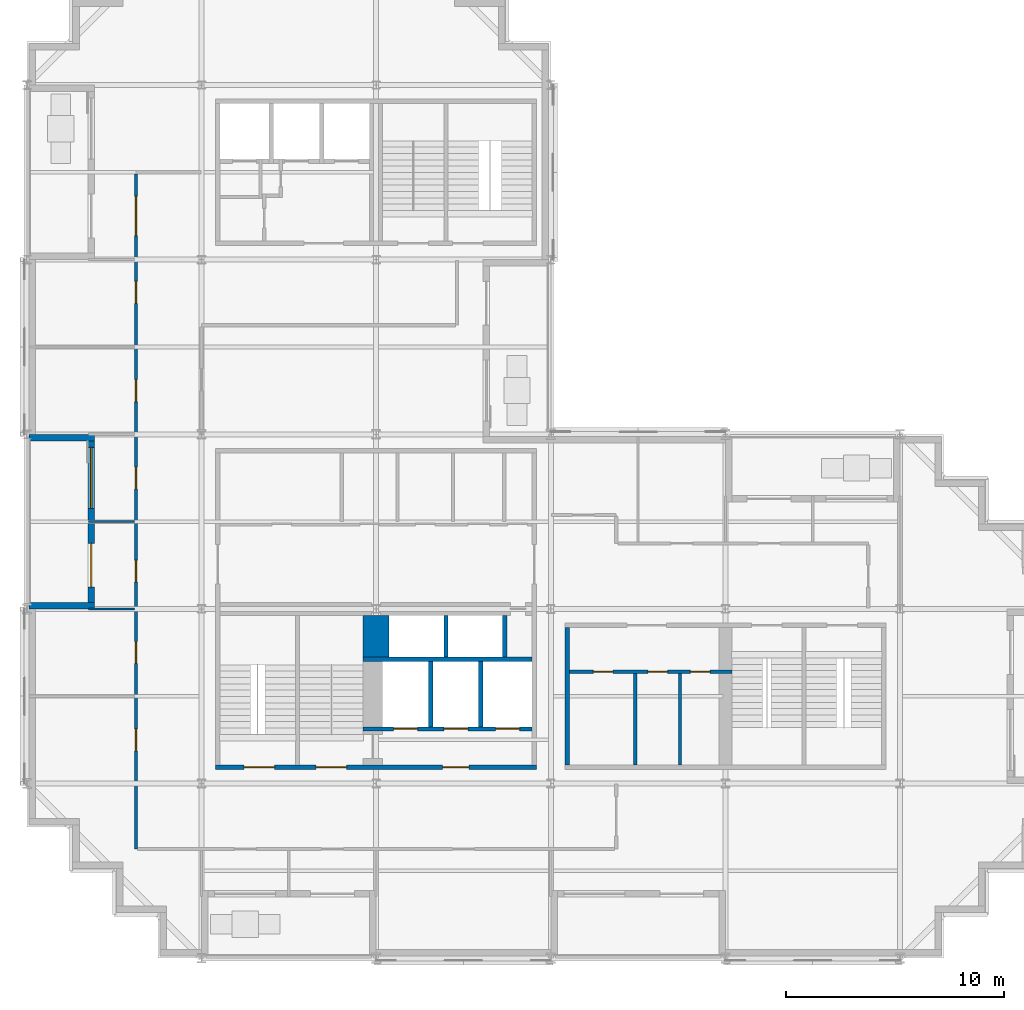
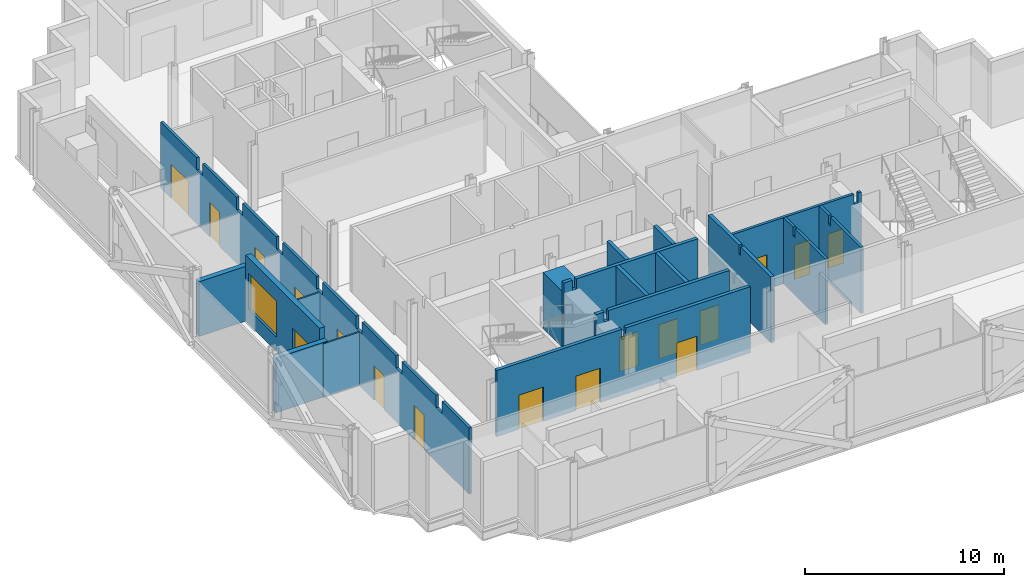
# One storey, part 5 of 12: 18 walls, 17 doors, 1 window, 18 openings.
"""IFC4 building model written with IfcOpenShell, lengths in metres."""

from ifc_helpers import new_model, si_unit, direction, frame, frame_2d, origin, place, context, subcontext, project, spatial, polyline, rectangle, outline, extrude, material, layer, layer_set, type_object, element, fill, save


model = new_model("IFC4")

# Units and contexts
model_context = context("Model", 3, precision=1e-05, world=origin(), true_north=direction((0.0, 1.0)))
body_context = subcontext(model_context, "Body", "Model", "MODEL_VIEW")
ifc_project = project(units=[si_unit("LENGTHUNIT", "METRE"), si_unit("AREAUNIT", "SQUARE_METRE"), si_unit("VOLUMEUNIT", "CUBIC_METRE"), si_unit("PLANEANGLEUNIT", "RADIAN"), si_unit("MASSUNIT", "GRAM", prefix="KILO")], contexts=[model_context])

# Site, building, storey
site_placement = place(None, origin())
site = spatial("IfcSite", under=ifc_project, at=site_placement, CompositionType="ELEMENT")
building_placement = place(site_placement, origin())
building = spatial("IfcBuilding", under=site, at=building_placement, Name="Immortelle Media Tower", CompositionType="ELEMENT")
storey_placement = place(building_placement, frame((0.0, 0.0, 132.60009765625)))
storey = spatial("IfcBuildingStorey", under=building, at=storey_placement, Name="L26", CompositionType="ELEMENT", Elevation=132.60009765625)

# Wall, openings, doors
ifc_material_1 = material(Name="Fire-rated gypsum board", Category="gypsum")
ifc_layer_1 = layer(ifc_material_1, 0.02490234375)
ifc_material_2 = material(Name="Steel ASTM A653 SS Gr 50 stud frame with mineral wool", Category="steel")
ifc_layer_2 = layer(ifc_material_2, 0.10009765625)
ifc_layer_3 = layer(ifc_material_1, 0.02490234375)
ifc_layer_set_1 = layer_set([ifc_layer_1, ifc_layer_2, ifc_layer_3], Name="Steel ASTM A653 SS Gr 50 stud frame with mineral wool")
wall_type_1 = type_object("IfcWallType", Name="Core partition 150", PredefinedType="PARTITIONING", material=ifc_layer_set_1)
wall_1_placement = place(storey_placement, frame((24.85009765625, 13.125, 0.0), z_axis=(0.0, 0.0, 1.0), x_axis=(1.0, 0.0, 0.0)))
wall_1 = element("IfcWall", 1, at=wall_1_placement, inside=storey, type_object=wall_type_1, Name="Core partition SE", PredefinedType="PARTITIONING", context=body_context, shape_type="SweptSolid", body=[
    extrude(outline(polyline([(0.0, 0.0), (7.449951171875, 0.0), (7.449951171875, 4.0498046875), (7.26953125, 4.0498046875), (7.2685546875, 3.431884765625), (7.031494140625, 3.431884765625), (7.030517578125, 4.0498046875), (0.0, 4.0498046875), (0.0, 0.0)])), frame((0.0, 0.074951171875, 0.0), z_axis=(0.0, -1.0, 0.0), x_axis=(1.0, 0.0, 0.0)), (0.0, 0.0, 1.0), 0.14990234375),
])
opening_1_placement = place(wall_1_placement, frame((2.0, 0.0, 0.0), z_axis=(0.0, 0.0, 1.0), x_axis=(-1.0, 0.0, 0.0)))
opening_1 = element("IfcOpeningElement", 2, at=opening_1_placement, cuts=wall_1, Name="Opening C2-K016", PredefinedType="OPENING", context=body_context, shape_type="SweptSolid", body=[
    extrude(rectangle(XDim=0.89990234375, YDim=2.10009765625, at=frame_2d((0.449951171875, 1.050048828125))), frame((0.0, 0.0849609375, 0.0), z_axis=(0.0, -1.0, 0.0), x_axis=(1.0, 0.0, 0.0)), (0.0, 0.0, 1.0), 0.169921875),
])
opening_2_placement = place(wall_1_placement, frame((4.5, 0.0, 0.0), z_axis=(0.0, 0.0, 1.0), x_axis=(-1.0, 0.0, 0.0)))
opening_2 = element("IfcOpeningElement", 3, at=opening_2_placement, cuts=wall_1, Name="Opening C2-K018", PredefinedType="OPENING", context=body_context, shape_type="SweptSolid", body=[
    extrude(rectangle(XDim=0.89990234375, YDim=2.10009765625, at=frame_2d((0.449951171875, 1.050048828125))), frame((0.0, 0.0849609375, 0.0), z_axis=(0.0, -1.0, 0.0), x_axis=(1.0, 0.0, 0.0)), (0.0, 0.0, 1.0), 0.169921875),
])
opening_3_placement = place(wall_1_placement, frame((6.449951171875, 0.0, 0.0), z_axis=(0.0, 0.0, 1.0), x_axis=(-1.0, 0.0, 0.0)))
opening_3 = element("IfcOpeningElement", 4, at=opening_3_placement, cuts=wall_1, Name="Opening C2-K019", PredefinedType="OPENING", context=body_context, shape_type="SweptSolid", body=[
    extrude(rectangle(XDim=0.89990234375, YDim=2.10009765625, at=frame_2d((0.449951171875, 1.050048828125))), frame((0.0, 0.0849609375, 0.0), z_axis=(0.0, -1.0, 0.0), x_axis=(1.0, 0.0, 0.0)), (0.0, 0.0, 1.0), 0.169921875),
])
ifc_material_3 = material(Name="Timber", Category="wood")
door_type_1 = type_object("IfcDoorType", Name="Room door 900 x 2100", OperationType="NOTDEFINED", PredefinedType="NOTDEFINED", material=ifc_material_3)
door_1_placement = place(opening_1_placement, origin())
door_1 = element("IfcDoor", 5, at=door_1_placement, inside=storey, type_object=door_type_1, Name="Room C2-K016", OperationType="SINGLE_SWING_RIGHT", OverallHeight=2.10009765625, OverallWidth=0.89990234375, PredefinedType="NOTDEFINED", context=body_context, shape_type="SweptSolid", body=[
    extrude(rectangle(XDim=0.89990234375, YDim=2.10009765625, at=frame_2d((0.449951171875, 1.050048828125))), frame((0.0, 0.02490234375, 0.0), z_axis=(0.0, -1.0, 0.0), x_axis=(1.0, 0.0, 0.0)), (0.0, 0.0, 1.0), 0.050048828125),
])
fill(opening_1, door_1)
door_2_placement = place(opening_2_placement, origin())
door_2 = element("IfcDoor", 6, at=door_2_placement, inside=storey, type_object=door_type_1, Name="Room C2-K018", OperationType="SINGLE_SWING_RIGHT", OverallHeight=2.10009765625, OverallWidth=0.89990234375, PredefinedType="NOTDEFINED", context=body_context, shape_type="SweptSolid", body=[
    extrude(rectangle(XDim=0.89990234375, YDim=2.10009765625, at=frame_2d((0.449951171875, 1.050048828125))), frame((0.0, 0.02490234375, 0.0), z_axis=(0.0, -1.0, 0.0), x_axis=(1.0, 0.0, 0.0)), (0.0, 0.0, 1.0), 0.050048828125),
])
fill(opening_2, door_2)
ifc_material_4 = material(Name="Galvanised steel door leaf and frame ASTM A653", Category="steel")
door_type_2 = type_object("IfcDoorType", Name="Service door 900 x 2100", OperationType="NOTDEFINED", PredefinedType="NOTDEFINED", material=ifc_material_4)
door_3_placement = place(opening_3_placement, origin())
door_3 = element("IfcDoor", 7, at=door_3_placement, inside=storey, type_object=door_type_2, Name="Service C2-K019", OperationType="SINGLE_SWING_RIGHT", OverallHeight=2.10009765625, OverallWidth=0.89990234375, PredefinedType="NOTDEFINED", context=body_context, shape_type="SweptSolid", body=[
    extrude(rectangle(XDim=0.89990234375, YDim=2.10009765625, at=frame_2d((0.449951171875, 1.050048828125))), frame((0.0, 0.02490234375, 0.0), z_axis=(0.0, -1.0, 0.0), x_axis=(1.0, 0.0, 0.0)), (0.0, 0.0, 1.0), 0.050048828125),
])
fill(opening_3, door_3)

# Walls
for number, where, z_axis, x_axis, name in (
    (8, (27.875, 8.85009765625, 0.0), (0.0, 0.0, 1.0), (0.0, 1.0, 0.0), "Core partition SE"),
    (9, (29.925048828125, 8.85009765625, 0.0), (0.0, 0.0, 1.0), (0.0, 1.0, 0.0), "Core partition SE"),
):
    element("IfcWall", number, at=place(storey_placement, frame(where, z_axis=z_axis, x_axis=x_axis)), inside=storey, type_object=wall_type_1, Name=name, PredefinedType="PARTITIONING", context=body_context, shape_type="SweptSolid", body=[
        extrude(outline(polyline([(0.0, 0.0), (4.199951171875, 0.0), (4.199951171875, 4.0498046875), (3.237548828125, 4.0498046875), (3.236572265625, 3.517822265625), (3.0634765625, 3.517822265625), (3.0625, 4.0498046875), (0.0, 4.0498046875), (0.0, 0.0)])), frame((0.0, 0.074951171875, 0.0), z_axis=(0.0, -1.0, 0.0), x_axis=(1.0, 0.0, 0.0)), (0.0, 0.0, 1.0), 0.14990234375),
    ])

# Wall, openings, doors
ifc_layer_4 = layer(ifc_material_1, 0.03759765625)
ifc_layer_5 = layer(ifc_material_2, 0.125)
ifc_layer_6 = layer(ifc_material_1, 0.03759765625)
ifc_layer_set_2 = layer_set([ifc_layer_4, ifc_layer_5, ifc_layer_6], Name="Steel ASTM A653 SS Gr 50 stud frame with mineral wool")
wall_type_2 = type_object("IfcWallType", Name="Core shaft wall 200", PredefinedType="PARTITIONING", material=ifc_layer_set_2)
wall_2_placement = place(storey_placement, frame((15.39990234375, 10.5, 0.0), z_axis=(0.0, 0.0, 1.0), x_axis=(1.0, 0.0, 0.0)))
wall_2 = element("IfcWall", 10, at=wall_2_placement, inside=storey, type_object=wall_type_2, Name="Core shaft wall SW", PredefinedType="PARTITIONING", context=body_context, shape_type="SweptSolid", body=[
    extrude(outline(polyline([(0.0, 0.0), (7.75, 0.0), (7.75, 4.0498046875), (0.719482421875, 4.0498046875), (0.718505859375, 3.431884765625), (0.4814453125, 3.431884765625), (0.48046875, 4.0498046875), (0.0, 4.0498046875), (0.0, 0.0)])), frame((0.0, 0.10009765625, 0.0), z_axis=(0.0, -1.0, 0.0), x_axis=(1.0, 0.0, 0.0)), (0.0, 0.0, 1.0), 0.199951171875),
])
opening_4_placement = place(wall_2_placement, frame((1.39990234375, 0.0, 0.0)))
opening_4 = element("IfcOpeningElement", 11, at=opening_4_placement, cuts=wall_2, Name="Opening LD", PredefinedType="OPENING", context=body_context, shape_type="SweptSolid", body=[
    extrude(rectangle(XDim=1.10009765625, YDim=2.10009765625, at=frame_2d((0.550048828125, 1.050048828125))), frame((0.0, 0.10986328125, 0.0), z_axis=(0.0, -1.0, 0.0), x_axis=(1.0, 0.0, 0.0)), (0.0, 0.0, 1.0), 0.219970703125),
])
opening_5_placement = place(wall_2_placement, frame((3.699951171875, 0.0, 0.0)))
opening_5 = element("IfcOpeningElement", 12, at=opening_5_placement, cuts=wall_2, Name="Opening LD", PredefinedType="OPENING", context=body_context, shape_type="SweptSolid", body=[
    extrude(rectangle(XDim=1.10009765625, YDim=2.10009765625, at=frame_2d((0.550048828125, 1.050048828125))), frame((0.0, 0.10986328125, 0.0), z_axis=(0.0, -1.0, 0.0), x_axis=(1.0, 0.0, 0.0)), (0.0, 0.0, 1.0), 0.219970703125),
])
opening_6_placement = place(wall_2_placement, frame((6.074951171875, 0.0, 0.0)))
opening_6 = element("IfcOpeningElement", 13, at=opening_6_placement, cuts=wall_2, Name="Opening LD", PredefinedType="OPENING", context=body_context, shape_type="SweptSolid", body=[
    extrude(rectangle(XDim=1.10009765625, YDim=2.10009765625, at=frame_2d((0.550048828125, 1.050048828125))), frame((0.0, 0.10986328125, 0.0), z_axis=(0.0, -1.0, 0.0), x_axis=(1.0, 0.0, 0.0)), (0.0, 0.0, 1.0), 0.219970703125),
])
ifc_material_5 = material(Name="Stainless steel AISI 304", Category="steel")
door_type_3 = type_object("IfcDoorType", Name="Landing door 1100 x 2100", OperationType="SLIDING_TO_LEFT", PredefinedType="NOTDEFINED", material=ifc_material_5)
door_4_placement = place(opening_4_placement, origin())
door_4 = element("IfcDoor", 14, at=door_4_placement, inside=storey, type_object=door_type_3, Name="Landing door FF1 L26", OperationType="SLIDING_TO_LEFT", OverallHeight=2.10009765625, OverallWidth=1.10009765625, PredefinedType="NOTDEFINED", context=body_context, shape_type="SweptSolid", body=[
    extrude(rectangle(XDim=1.10009765625, YDim=2.10009765625, at=frame_2d((0.550048828125, 1.050048828125))), frame((0.0, 0.02490234375, 0.0), z_axis=(0.0, -1.0, 0.0), x_axis=(1.0, 0.0, 0.0)), (0.0, 0.0, 1.0), 0.050048828125),
])
fill(opening_4, door_4)
door_5_placement = place(opening_5_placement, origin())
door_5 = element("IfcDoor", 15, at=door_5_placement, inside=storey, type_object=door_type_3, Name="Landing door FF2 L26", OperationType="SLIDING_TO_LEFT", OverallHeight=2.10009765625, OverallWidth=1.10009765625, PredefinedType="NOTDEFINED", context=body_context, shape_type="SweptSolid", body=[
    extrude(rectangle(XDim=1.10009765625, YDim=2.10009765625, at=frame_2d((0.550048828125, 1.050048828125))), frame((0.0, 0.02490234375, 0.0), z_axis=(0.0, -1.0, 0.0), x_axis=(1.0, 0.0, 0.0)), (0.0, 0.0, 1.0), 0.050048828125),
])
fill(opening_5, door_5)
door_6_placement = place(opening_6_placement, origin())
door_6 = element("IfcDoor", 16, at=door_6_placement, inside=storey, type_object=door_type_3, Name="Landing door FF3 L26", OperationType="SLIDING_TO_LEFT", OverallHeight=2.10009765625, OverallWidth=1.10009765625, PredefinedType="NOTDEFINED", context=body_context, shape_type="SweptSolid", body=[
    extrude(rectangle(XDim=1.10009765625, YDim=2.10009765625, at=frame_2d((0.550048828125, 1.050048828125))), frame((0.0, 0.02490234375, 0.0), z_axis=(0.0, -1.0, 0.0), x_axis=(1.0, 0.0, 0.0)), (0.0, 0.0, 1.0), 0.050048828125),
])
fill(opening_6, door_6)

# Walls
wall_3_placement = place(storey_placement, frame((15.39990234375, 13.699951171875, 0.0), z_axis=(0.0, 0.0, 1.0), x_axis=(1.0, 0.0, 0.0)))
element("IfcWall", 17, at=wall_3_placement, inside=storey, type_object=wall_type_2, Name="Core shaft wall SW", PredefinedType="PARTITIONING", context=body_context, shape_type="SweptSolid", body=[
    extrude(outline(polyline([(0.0, 0.0), (7.75, 0.0), (7.75, 4.0498046875), (0.719482421875, 4.0498046875), (0.718505859375, 3.431884765625), (0.4814453125, 3.431884765625), (0.48046875, 4.0498046875), (0.0, 4.0498046875), (0.0, 0.0)])), frame((0.0, 0.10009765625, 0.0), z_axis=(0.0, -1.0, 0.0), x_axis=(1.0, 0.0, 0.0)), (0.0, 0.0, 1.0), 0.199951171875),
])
wall_4_placement = place(storey_placement, frame((18.5, 10.60009765625, 0.0), z_axis=(0.0, 0.0, 1.0), x_axis=(0.0, 1.0, 0.0)))
element("IfcWall", 18, at=wall_4_placement, inside=storey, type_object=wall_type_2, Name="Core shaft wall SW", PredefinedType="PARTITIONING", context=body_context, shape_type="SweptSolid", body=[
    extrude(rectangle(XDim=3.0, YDim=0.199951171875, at=frame_2d((1.5, 0.0))), origin(), (0.0, 0.0, 1.0), 4.0498046875),
])
wall_5_placement = place(storey_placement, frame((19.199951171875, 13.800048828125, 0.0), z_axis=(0.0, 0.0, 1.0), x_axis=(0.0, 1.0, 0.0)))
element("IfcWall", 19, at=wall_5_placement, inside=storey, type_object=wall_type_2, Name="Core shaft wall SW", PredefinedType="PARTITIONING", context=body_context, shape_type="SweptSolid", body=[
    extrude(rectangle(XDim=1.89990234375, YDim=0.199951171875, at=frame_2d((0.949951171875, 0.0))), origin(), (0.0, 0.0, 1.0), 4.0498046875),
])
wall_6_placement = place(storey_placement, frame((20.800048828125, 10.60009765625, 0.0), z_axis=(0.0, 0.0, 1.0), x_axis=(0.0, 1.0, 0.0)))
element("IfcWall", 20, at=wall_6_placement, inside=storey, type_object=wall_type_2, Name="Core shaft wall SW", PredefinedType="PARTITIONING", context=body_context, shape_type="SweptSolid", body=[
    extrude(rectangle(XDim=3.0, YDim=0.199951171875, at=frame_2d((1.5, 0.0))), origin(), (0.0, 0.0, 1.0), 4.0498046875),
])
wall_7_placement = place(storey_placement, frame((21.89990234375, 13.800048828125, 0.0), z_axis=(0.0, 0.0, 1.0), x_axis=(0.0, 1.0, 0.0)))
element("IfcWall", 21, at=wall_7_placement, inside=storey, type_object=wall_type_2, Name="Core shaft wall SW", PredefinedType="PARTITIONING", context=body_context, shape_type="SweptSolid", body=[
    extrude(rectangle(XDim=1.89990234375, YDim=0.199951171875, at=frame_2d((0.949951171875, 0.0))), origin(), (0.0, 0.0, 1.0), 4.0498046875),
])
wall_8_placement = place(storey_placement, frame((24.75, 8.85009765625, 0.0), z_axis=(0.0, 0.0, 1.0), x_axis=(0.0, 1.0, 0.0)))
element("IfcWall", 22, at=wall_8_placement, inside=storey, type_object=wall_type_2, Name="Core shaft wall SE", PredefinedType="PARTITIONING", context=body_context, shape_type="SweptSolid", body=[
    extrude(outline(polyline([(0.0, 0.0), (6.2998046875, 0.0), (6.300048828125, 4.0498046875), (3.237548828125, 4.0498046875), (3.236572265625, 3.517822265625), (3.0634765625, 3.517822265625), (3.0625, 4.0498046875), (0.0, 4.0498046875), (0.0, 0.0)])), frame((0.0, 0.10009765625, 0.0), z_axis=(0.0, -1.0, 0.0), x_axis=(1.0, 0.0, 0.0)), (0.0, 0.0, 1.0), 0.199951171875),
])

# Wall, openings, doors
ifc_layer_7 = layer(ifc_material_1, 0.012451171875)
ifc_layer_8 = layer(ifc_material_2, 0.125)
ifc_layer_9 = layer(ifc_material_1, 0.012451171875)
ifc_layer_set_3 = layer_set([ifc_layer_7, ifc_layer_8, ifc_layer_9], Name="Steel ASTM A653 SS Gr 50 stud frame with mineral wool")
wall_type_3 = type_object("IfcWallType", Name="Corridor wall 150", PredefinedType="PARTITIONING", material=ifc_layer_set_3)
wall_9_placement = place(storey_placement, frame((5.0, 5.0, 0.0), z_axis=(0.0, 0.0, 1.0), x_axis=(0.0, 1.0, 0.0)))
wall_9 = element("IfcWall", 23, at=wall_9_placement, inside=storey, type_object=wall_type_3, Name="Partition L26-006", PredefinedType="PARTITIONING", context=body_context, shape_type="SweptSolid", body=[
    extrude(outline(polyline([(0.0, 0.0), (30.925048828125, 0.0), (30.925048828125, 4.0498046875), (27.300048828125, 4.0498046875), (27.298095703125, 3.287841796875), (26.701904296875, 3.287841796875), (26.699951171875, 4.0498046875), (23.300048828125, 4.0498046875), (23.298095703125, 3.287841796875), (22.701904296875, 3.287841796875), (22.699951171875, 4.0498046875), (19.300048828125, 4.0498046875), (19.298095703125, 3.287841796875), (18.701904296875, 3.287841796875), (18.699951171875, 4.0498046875), (15.300048828125, 4.0498046875), (15.298095703125, 3.287841796875), (14.701904296875, 3.287841796875), (14.699951171875, 4.0498046875), (11.300048828125, 4.0498046875), (11.298095703125, 3.287841796875), (10.701904296875, 3.287841796875), (10.699951171875, 4.0498046875), (7.300048828125, 4.0498046875), (7.298095703125, 3.287841796875), (6.701904296875, 3.287841796875), (6.699951171875, 4.0498046875), (3.300048828125, 4.0498046875), (3.298095703125, 3.287841796875), (2.701904296875, 3.287841796875), (2.699951171875, 4.0498046875), (0.0, 4.0498046875), (0.0, 0.0)])), frame((0.0, 0.074951171875, 0.0), z_axis=(0.0, -1.0, 0.0), x_axis=(1.0, 0.0, 0.0)), (0.0, 0.0, 1.0), 0.14990234375),
])
opening_7_placement = place(wall_9_placement, frame((4.5, 0.0, 0.0)))
opening_7 = element("IfcOpeningElement", 24, at=opening_7_placement, cuts=wall_9, Name="Opening C2-F005", PredefinedType="OPENING", context=body_context, shape_type="SweptSolid", body=[
    extrude(rectangle(XDim=1.0, YDim=2.10009765625, at=frame_2d((0.5, 1.050048828125))), frame((0.0, 0.0849609375, 0.0), z_axis=(0.0, -1.0, 0.0), x_axis=(1.0, 0.0, 0.0)), (0.0, 0.0, 1.0), 0.169921875),
])
opening_8_placement = place(wall_9_placement, frame((8.5, 0.0, 0.0)))
opening_8 = element("IfcOpeningElement", 25, at=opening_8_placement, cuts=wall_9, Name="Opening C2-F006", PredefinedType="OPENING", context=body_context, shape_type="SweptSolid", body=[
    extrude(rectangle(XDim=1.0, YDim=2.10009765625, at=frame_2d((0.5, 1.050048828125))), frame((0.0, 0.0849609375, 0.0), z_axis=(0.0, -1.0, 0.0), x_axis=(1.0, 0.0, 0.0)), (0.0, 0.0, 1.0), 0.169921875),
])
opening_9_placement = place(wall_9_placement, frame((12.22509765625, 0.0, 0.0)))
opening_9 = element("IfcOpeningElement", 26, at=opening_9_placement, cuts=wall_9, Name="Opening C2-F009", PredefinedType="OPENING", context=body_context, shape_type="SweptSolid", body=[
    extrude(rectangle(XDim=1.0, YDim=2.10009765625, at=frame_2d((0.5, 1.050048828125))), frame((0.0, 0.0849609375, 0.0), z_axis=(0.0, -1.0, 0.0), x_axis=(1.0, 0.0, 0.0)), (0.0, 0.0, 1.0), 0.169921875),
])
opening_10_placement = place(wall_9_placement, frame((16.5, 0.0, 0.0)))
opening_10 = element("IfcOpeningElement", 27, at=opening_10_placement, cuts=wall_9, Name="Opening C2-F010", PredefinedType="OPENING", context=body_context, shape_type="SweptSolid", body=[
    extrude(rectangle(XDim=1.0, YDim=2.10009765625, at=frame_2d((0.5, 1.050048828125))), frame((0.0, 0.0849609375, 0.0), z_axis=(0.0, -1.0, 0.0), x_axis=(1.0, 0.0, 0.0)), (0.0, 0.0, 1.0), 0.169921875),
])
opening_11_placement = place(wall_9_placement, frame((20.5, 0.0, 0.0)))
opening_11 = element("IfcOpeningElement", 28, at=opening_11_placement, cuts=wall_9, Name="Opening C2-F014", PredefinedType="OPENING", context=body_context, shape_type="SweptSolid", body=[
    extrude(rectangle(XDim=1.0, YDim=2.10009765625, at=frame_2d((0.5, 1.050048828125))), frame((0.0, 0.0849609375, 0.0), z_axis=(0.0, -1.0, 0.0), x_axis=(1.0, 0.0, 0.0)), (0.0, 0.0, 1.0), 0.169921875),
])
opening_12_placement = place(wall_9_placement, frame((25.0, 0.0, 0.0)))
opening_12 = element("IfcOpeningElement", 29, at=opening_12_placement, cuts=wall_9, Name="Opening C2-F015", PredefinedType="OPENING", context=body_context, shape_type="SweptSolid", body=[
    extrude(rectangle(XDim=1.0, YDim=2.10009765625, at=frame_2d((0.5, 1.050048828125))), frame((0.0, 0.0849609375, 0.0), z_axis=(0.0, -1.0, 0.0), x_axis=(1.0, 0.0, 0.0)), (0.0, 0.0, 1.0), 0.169921875),
])
opening_13_placement = place(wall_9_placement, frame((28.10009765625, 0.0, 0.0)))
opening_13 = element("IfcOpeningElement", 30, at=opening_13_placement, cuts=wall_9, Name="Opening C2-F016", PredefinedType="OPENING", context=body_context, shape_type="SweptSolid", body=[
    extrude(rectangle(XDim=1.800048828125, YDim=2.10009765625, at=frame_2d((0.89990234375, 1.050048828125))), frame((0.0, 0.0849609375, 0.0), z_axis=(0.0, -1.0, 0.0), x_axis=(1.0, 0.0, 0.0)), (0.0, 0.0, 1.0), 0.169921875),
])
ifc_material_6 = material(Name="Timber veneered door leaf, galvanised steel frame ASTM A653", Category="steel")
door_type_4 = type_object("IfcDoorType", Name="Room door 1000 x 2100", OperationType="NOTDEFINED", PredefinedType="DOOR", material=ifc_material_6)
door_7_placement = place(opening_7_placement, origin())
door_7 = element("IfcDoor", 31, at=door_7_placement, inside=storey, type_object=door_type_4, Name="Door C2-F005", OperationType="SINGLE_SWING_RIGHT", OverallHeight=2.10009765625, OverallWidth=1.0, PredefinedType="DOOR", context=body_context, shape_type="SweptSolid", body=[
    extrude(rectangle(XDim=1.0, YDim=2.10009765625, at=frame_2d((0.5, 1.050048828125))), frame((0.0, 0.02490234375, 0.0), z_axis=(0.0, -1.0, 0.0), x_axis=(1.0, 0.0, 0.0)), (0.0, 0.0, 1.0), 0.050048828125),
])
fill(opening_7, door_7)
door_8_placement = place(opening_8_placement, origin())
door_8 = element("IfcDoor", 32, at=door_8_placement, inside=storey, type_object=door_type_4, Name="Door C2-F006", OperationType="SINGLE_SWING_RIGHT", OverallHeight=2.10009765625, OverallWidth=1.0, PredefinedType="DOOR", context=body_context, shape_type="SweptSolid", body=[
    extrude(rectangle(XDim=1.0, YDim=2.10009765625, at=frame_2d((0.5, 1.050048828125))), frame((0.0, 0.02490234375, 0.0), z_axis=(0.0, -1.0, 0.0), x_axis=(1.0, 0.0, 0.0)), (0.0, 0.0, 1.0), 0.050048828125),
])
fill(opening_8, door_8)
door_9_placement = place(opening_9_placement, origin())
door_9 = element("IfcDoor", 33, at=door_9_placement, inside=storey, type_object=door_type_4, Name="Door C2-F009", OperationType="SINGLE_SWING_LEFT", OverallHeight=2.10009765625, OverallWidth=1.0, PredefinedType="DOOR", context=body_context, shape_type="SweptSolid", body=[
    extrude(rectangle(XDim=1.0, YDim=2.10009765625, at=frame_2d((0.5, 1.050048828125))), frame((0.0, 0.02490234375, 0.0), z_axis=(0.0, -1.0, 0.0), x_axis=(1.0, 0.0, 0.0)), (0.0, 0.0, 1.0), 0.050048828125),
])
fill(opening_9, door_9)
door_10_placement = place(opening_10_placement, origin())
door_10 = element("IfcDoor", 34, at=door_10_placement, inside=storey, type_object=door_type_4, Name="Door C2-F010", OperationType="SINGLE_SWING_RIGHT", OverallHeight=2.10009765625, OverallWidth=1.0, PredefinedType="DOOR", context=body_context, shape_type="SweptSolid", body=[
    extrude(rectangle(XDim=1.0, YDim=2.10009765625, at=frame_2d((0.5, 1.050048828125))), frame((0.0, 0.02490234375, 0.0), z_axis=(0.0, -1.0, 0.0), x_axis=(1.0, 0.0, 0.0)), (0.0, 0.0, 1.0), 0.050048828125),
])
fill(opening_10, door_10)
door_11_placement = place(opening_11_placement, origin())
door_11 = element("IfcDoor", 35, at=door_11_placement, inside=storey, type_object=door_type_4, Name="Door C2-F014", OperationType="SINGLE_SWING_RIGHT", OverallHeight=2.10009765625, OverallWidth=1.0, PredefinedType="DOOR", context=body_context, shape_type="SweptSolid", body=[
    extrude(rectangle(XDim=1.0, YDim=2.10009765625, at=frame_2d((0.5, 1.050048828125))), frame((0.0, 0.02490234375, 0.0), z_axis=(0.0, -1.0, 0.0), x_axis=(1.0, 0.0, 0.0)), (0.0, 0.0, 1.0), 0.050048828125),
])
fill(opening_11, door_11)
door_12_placement = place(opening_12_placement, origin())
door_12 = element("IfcDoor", 36, at=door_12_placement, inside=storey, type_object=door_type_4, Name="Door C2-F015", OperationType="SINGLE_SWING_RIGHT", OverallHeight=2.10009765625, OverallWidth=1.0, PredefinedType="DOOR", context=body_context, shape_type="SweptSolid", body=[
    extrude(rectangle(XDim=1.0, YDim=2.10009765625, at=frame_2d((0.5, 1.050048828125))), frame((0.0, 0.02490234375, 0.0), z_axis=(0.0, -1.0, 0.0), x_axis=(1.0, 0.0, 0.0)), (0.0, 0.0, 1.0), 0.050048828125),
])
fill(opening_12, door_12)
door_type_5 = type_object("IfcDoorType", Name="Room door 1800 x 2100", OperationType="DOUBLE_DOOR_SINGLE_SWING", PredefinedType="DOOR", material=ifc_material_6)
door_13_placement = place(opening_13_placement, origin())
door_13 = element("IfcDoor", 37, at=door_13_placement, inside=storey, type_object=door_type_5, Name="Door C2-F016", OperationType="DOUBLE_DOOR_SINGLE_SWING", OverallHeight=2.10009765625, OverallWidth=1.800048828125, PredefinedType="DOOR", context=body_context, shape_type="SweptSolid", body=[
    extrude(rectangle(XDim=1.800048828125, YDim=2.10009765625, at=frame_2d((0.89990234375, 1.050048828125))), frame((0.0, 0.02490234375, 0.0), z_axis=(0.0, -1.0, 0.0), x_axis=(1.0, 0.0, 0.0)), (0.0, 0.0, 1.0), 0.050048828125),
])
fill(opening_13, door_13)

# Wall, openings, door, window
ifc_material_7 = material(Name="Pale aluminium cladding panel", Category="aluminium")
ifc_layer_10 = layer(ifc_material_7, 0.030029296875)
ifc_layer_11 = layer(ifc_material_2, 0.257568359375)
ifc_material_8 = material(Name="Moisture-resistant gypsum board", Category="gypsum")
ifc_layer_12 = layer(ifc_material_8, 0.012451171875)
ifc_layer_set_4 = layer_set([ifc_layer_10, ifc_layer_11, ifc_layer_12], Name="Steel ASTM A653 SS Gr 50 stud frame with mineral wool")
wall_type_4 = type_object("IfcWallType", Name="Facade wall 300", PredefinedType="SOLIDWALL", material=ifc_layer_set_4)
wall_10_placement = place(storey_placement, frame((2.949951171875, 23.699951171875, 0.0), z_axis=(0.0, 0.0, 1.0), x_axis=(0.0, -1.0, 0.0)))
wall_10 = element("IfcWall", 38, at=wall_10_placement, inside=storey, type_object=wall_type_4, Name="Loggia wall L26 W35", PredefinedType="SOLIDWALL", context=body_context, shape_type="SweptSolid", body=[
    extrude(rectangle(XDim=7.39990234375, YDim=0.300048828125, at=frame_2d((3.699951171875, 0.0))), origin(), (0.0, 0.0, 1.0), 4.0498046875),
])
opening_14_placement = place(wall_10_placement, frame((0.300048828125, 0.0, 0.89990234375)))
opening_14 = element("IfcOpeningElement", 39, at=opening_14_placement, cuts=wall_10, Name="Opening W1", PredefinedType="OPENING", context=body_context, shape_type="SweptSolid", body=[
    extrude(rectangle(XDim=2.800048828125, YDim=2.199951171875, at=frame_2d((1.39990234375, 1.10009765625))), frame((0.0, 0.159912109375, 0.0), z_axis=(0.0, -1.0, 0.0), x_axis=(1.0, 0.0, 0.0)), (0.0, 0.0, 1.0), 0.320068359375),
])
opening_15_placement = place(wall_10_placement, frame((4.699951171875, 0.0, 0.0)))
opening_15 = element("IfcOpeningElement", 40, at=opening_15_placement, cuts=wall_10, Name="Opening C2-E008", PredefinedType="OPENING", context=body_context, shape_type="SweptSolid", body=[
    extrude(rectangle(XDim=2.0, YDim=2.39990234375, at=frame_2d((1.0, 1.199951171875))), frame((0.0, 0.159912109375, 0.0), z_axis=(0.0, -1.0, 0.0), x_axis=(1.0, 0.0, 0.0)), (0.0, 0.0, 1.0), 0.320068359375),
])
ifc_material_9 = material(Name="Aluminium frame, glazed leaves", Category="aluminium")
door_type_6 = type_object("IfcDoorType", Name="Loggia door 2000 x 2400", OperationType="DOUBLE_DOOR_SINGLE_SWING", PredefinedType="DOOR", material=ifc_material_9)
door_14_placement = place(opening_15_placement, origin())
door_14 = element("IfcDoor", 41, at=door_14_placement, inside=storey, type_object=door_type_6, Name="Door C2-E008", OperationType="DOUBLE_DOOR_SINGLE_SWING", OverallHeight=2.39990234375, OverallWidth=2.0, PredefinedType="DOOR", context=body_context, shape_type="SweptSolid", body=[
    extrude(rectangle(XDim=2.0, YDim=2.39990234375, at=frame_2d((1.0, 1.199951171875))), frame((0.0, 0.02490234375, 0.0), z_axis=(0.0, -1.0, 0.0), x_axis=(1.0, 0.0, 0.0)), (0.0, 0.0, 1.0), 0.050048828125),
])
fill(opening_15, door_14)
ifc_material_10 = material(Name="Aluminium frame", Category="aluminium")
window_type = type_object("IfcWindowType", Name="Window 2800 x 2200", PartitioningType="SINGLE_PANEL", PredefinedType="WINDOW", material=ifc_material_10)
window_placement = place(opening_14_placement, origin())
window = element("IfcWindow", 42, at=window_placement, inside=storey, type_object=window_type, Name="Window L26 L26-R35-B2", OverallHeight=2.199951171875, OverallWidth=2.800048828125, PartitioningType="SINGLE_PANEL", PredefinedType="WINDOW", context=body_context, shape_type="SweptSolid", body=[
    extrude(rectangle(XDim=2.800048828125, YDim=2.199951171875, at=frame_2d((1.39990234375, 1.10009765625))), frame((0.0, 0.030029296875, 0.0), z_axis=(0.0, -1.0, 0.0), x_axis=(1.0, 0.0, 0.0)), (0.0, 0.0, 1.0), 0.06005859375),
])
fill(opening_14, window)

# Walls
for number, where, z_axis, x_axis, name in (
    (43, (0.10009765625, 23.85009765625, 0.0), (0.0, 0.0, 1.0), (1.0, 0.0, 0.0), "Loggia cheek wall L26 W"),
    (44, (0.10009765625, 16.14990234375, 0.0), (0.0, 0.0, 1.0), (1.0, 0.0, 0.0), "Loggia cheek wall L26 W"),
):
    element("IfcWall", number, at=place(storey_placement, frame(where, z_axis=z_axis, x_axis=x_axis)), inside=storey, type_object=wall_type_4, Name=name, PredefinedType="SOLIDWALL", context=body_context, shape_type="SweptSolid", body=[
        extrude(rectangle(XDim=3.0, YDim=0.300048828125, at=frame_2d((1.5, 0.0))), origin(), (0.0, 0.0, 1.0), 3.35595703125),
    ])
ifc_material_11 = material(Name="Gypsum board", Category="gypsum")
ifc_layer_13 = layer(ifc_material_11, 0.012451171875)
ifc_layer_14 = layer(ifc_material_2, 0.074951171875)
ifc_layer_15 = layer(ifc_material_11, 0.012451171875)
ifc_layer_set_5 = layer_set([ifc_layer_13, ifc_layer_14, ifc_layer_15], Name="Steel ASTM A653 SS Gr 50 stud frame with mineral wool")
wall_type_5 = type_object("IfcWallType", Name="Partition 100", PredefinedType="PARTITIONING", material=ifc_layer_set_5)
for number, where, z_axis, x_axis, name in (
    (45, (2.830078125, 16.0, 0.0), (0.0, 0.0, 1.0), (1.0, 0.0, 0.0), "Partition L26-009"),
    (46, (2.830078125, 20.0, 0.0), (0.0, 0.0, 1.0), (1.0, 0.0, 0.0), "Partition L26-017"),
):
    element("IfcWall", number, at=place(storey_placement, frame(where, z_axis=z_axis, x_axis=x_axis)), inside=storey, type_object=wall_type_5, Name=name, PredefinedType="PARTITIONING", context=body_context, shape_type="SweptSolid", body=[
        extrude(rectangle(XDim=2.094970703125, YDim=0.10009765625, at=frame_2d((1.04736328125, 0.0))), origin(), (0.0, 0.0, 1.0), 3.287841796875),
    ])
ifc_material_12 = material(Name="Concrete C60", Category="concrete")
ifc_layer_16 = layer(ifc_material_12, 1.199951171875)
ifc_layer_set_6 = layer_set([ifc_layer_16], Name="Concrete C60")
wall_type_6 = type_object("IfcWallType", Name="Stair shaft wall 1200", PredefinedType="PARTITIONING", material=ifc_layer_set_6)
wall_11_placement = place(storey_placement, frame((16.0, 13.800048828125, 0.0), z_axis=(0.0, 0.0, 1.0), x_axis=(0.0, 1.0, 0.0)))
element("IfcWall", 47, at=wall_11_placement, inside=storey, type_object=wall_type_6, Name="Stair shaft wall SW", PredefinedType="PARTITIONING", context=body_context, shape_type="SweptSolid", body=[
    extrude(rectangle(XDim=1.89990234375, YDim=1.199951171875, at=frame_2d((0.949951171875, 0.0))), origin(), (0.0, 0.0, 1.0), 3.431884765625),
])

# Wall, openings, doors
ifc_layer_17 = layer(ifc_material_12, 0.199951171875)
ifc_layer_set_7 = layer_set([ifc_layer_17], Name="Concrete C60")
wall_type_7 = type_object("IfcWallType", Name="Stair shaft wall 200", PredefinedType="PARTITIONING", material=ifc_layer_set_7)
wall_12_placement = place(storey_placement, frame((8.64990234375, 8.75, 0.0), z_axis=(0.0, 0.0, 1.0), x_axis=(1.0, 0.0, 0.0)))
wall_12 = element("IfcWall", 48, at=wall_12_placement, inside=storey, type_object=wall_type_7, Name="Stair shaft wall SW", PredefinedType="PARTITIONING", context=body_context, shape_type="SweptSolid", body=[
    extrude(outline(polyline([(0.0, 0.0), (14.7001953125, 0.0), (14.699951171875, 4.0498046875), (7.469482421875, 4.0498046875), (7.468505859375, 3.431884765625), (7.2314453125, 3.431884765625), (7.23046875, 4.0498046875), (0.0, 4.0498046875), (0.0, 0.0)])), frame((0.0, 0.10009765625, 0.0), z_axis=(0.0, -1.0, 0.0), x_axis=(1.0, 0.0, 0.0)), (0.0, 0.0, 1.0), 0.199951171875),
])
opening_16_placement = place(wall_12_placement, frame((1.300048828125, 0.0, 0.0)))
opening_16 = element("IfcOpeningElement", 49, at=opening_16_placement, cuts=wall_12, Name="Opening C2-K002", PredefinedType="OPENING", context=body_context, shape_type="SweptSolid", body=[
    extrude(rectangle(XDim=1.39990234375, YDim=2.10009765625, at=frame_2d((0.699951171875, 1.050048828125))), frame((0.0, 0.10986328125, 0.0), z_axis=(0.0, -1.0, 0.0), x_axis=(1.0, 0.0, 0.0)), (0.0, 0.0, 1.0), 0.219970703125),
])
opening_17_placement = place(wall_12_placement, frame((4.60009765625, 0.0, 0.0)))
opening_17 = element("IfcOpeningElement", 50, at=opening_17_placement, cuts=wall_12, Name="Opening C2-K004", PredefinedType="OPENING", context=body_context, shape_type="SweptSolid", body=[
    extrude(rectangle(XDim=1.39990234375, YDim=2.10009765625, at=frame_2d((0.699951171875, 1.050048828125))), frame((0.0, 0.10986328125, 0.0), z_axis=(0.0, -1.0, 0.0), x_axis=(1.0, 0.0, 0.0)), (0.0, 0.0, 1.0), 0.219970703125),
])
opening_18_placement = place(wall_12_placement, frame((10.39990234375, 0.0, 0.0)))
opening_18 = element("IfcOpeningElement", 51, at=opening_18_placement, cuts=wall_12, Name="Opening C2-K009", PredefinedType="OPENING", context=body_context, shape_type="SweptSolid", body=[
    extrude(rectangle(XDim=1.199951171875, YDim=2.10009765625, at=frame_2d((0.60009765625, 1.050048828125))), frame((0.0, 0.10986328125, 0.0), z_axis=(0.0, -1.0, 0.0), x_axis=(1.0, 0.0, 0.0)), (0.0, 0.0, 1.0), 0.219970703125),
])
door_type_7 = type_object("IfcDoorType", Name="Fire-fighting lobby door 1200 x 2100", OperationType="NOTDEFINED", PredefinedType="NOTDEFINED", material=ifc_material_4)
door_15_placement = place(opening_18_placement, origin())
door_15 = element("IfcDoor", 52, at=door_15_placement, inside=storey, type_object=door_type_7, Name="Fire-fighting lobby C2-K009", OperationType="SINGLE_SWING_RIGHT", OverallHeight=2.10009765625, OverallWidth=1.199951171875, PredefinedType="NOTDEFINED", context=body_context, shape_type="SweptSolid", body=[
    extrude(rectangle(XDim=1.199951171875, YDim=2.10009765625, at=frame_2d((0.60009765625, 1.050048828125))), frame((0.0, 0.02490234375, 0.0), z_axis=(0.0, -1.0, 0.0), x_axis=(1.0, 0.0, 0.0)), (0.0, 0.0, 1.0), 0.050048828125),
])
fill(opening_18, door_15)
door_type_8 = type_object("IfcDoorType", Name="Stair door 1400 x 2100", OperationType="DOUBLE_DOOR_SINGLE_SWING", PredefinedType="NOTDEFINED", material=ifc_material_4)
door_16_placement = place(opening_16_placement, origin())
door_16 = element("IfcDoor", 53, at=door_16_placement, inside=storey, type_object=door_type_8, Name="Stair C2-K002", OperationType="DOUBLE_DOOR_SINGLE_SWING", OverallHeight=2.10009765625, OverallWidth=1.39990234375, PredefinedType="NOTDEFINED", context=body_context, shape_type="SweptSolid", body=[
    extrude(rectangle(XDim=1.39990234375, YDim=2.10009765625, at=frame_2d((0.699951171875, 1.050048828125))), frame((0.0, 0.02490234375, 0.0), z_axis=(0.0, -1.0, 0.0), x_axis=(1.0, 0.0, 0.0)), (0.0, 0.0, 1.0), 0.050048828125),
])
fill(opening_16, door_16)
door_17_placement = place(opening_17_placement, origin())
door_17 = element("IfcDoor", 54, at=door_17_placement, inside=storey, type_object=door_type_8, Name="Stair C2-K004", OperationType="DOUBLE_DOOR_SINGLE_SWING", OverallHeight=2.10009765625, OverallWidth=1.39990234375, PredefinedType="NOTDEFINED", context=body_context, shape_type="SweptSolid", body=[
    extrude(rectangle(XDim=1.39990234375, YDim=2.10009765625, at=frame_2d((0.699951171875, 1.050048828125))), frame((0.0, 0.02490234375, 0.0), z_axis=(0.0, -1.0, 0.0), x_axis=(1.0, 0.0, 0.0)), (0.0, 0.0, 1.0), 0.050048828125),
])
fill(opening_17, door_17)

save(model, "model.ifc")
